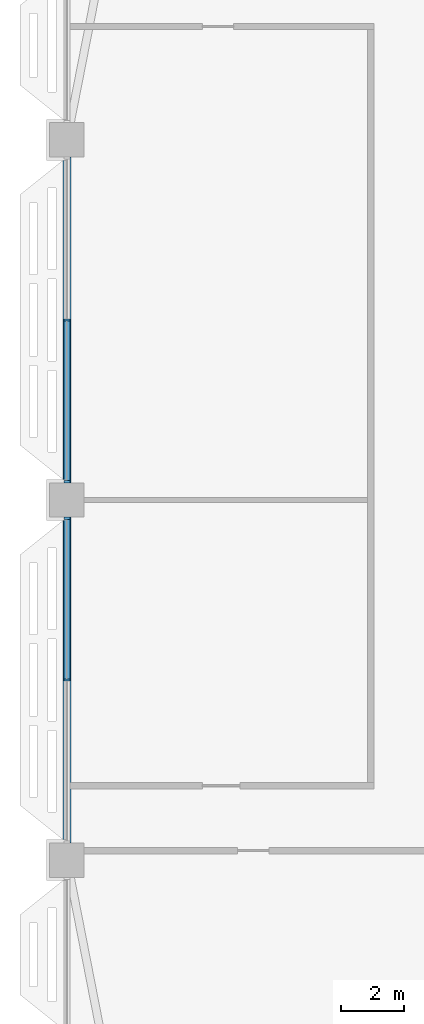
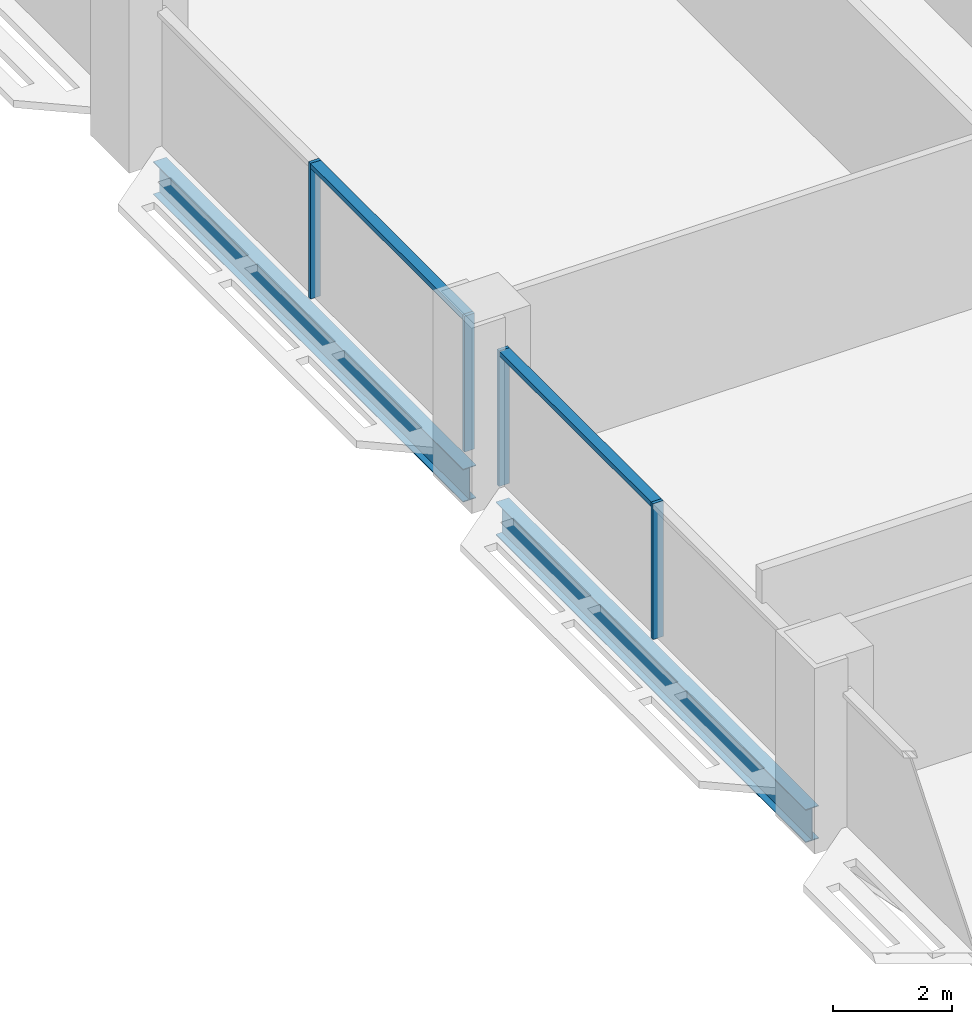
# One storey, part 5 of 30: 6 members, 2 beams, 2 elements without a shape of their own.
"""IFC4 building model written with IfcOpenShell, lengths in metres."""

from ifc_helpers import new_model, si_unit, direction, frame, origin, origin_2d, place, context, subcontext, project, spatial, rectangle, i_section, extrude, material, material_profile, profile_set, type_object, element, aggregate, save


model = new_model("IFC4")

# Units and contexts
model_context = context("Model", 3, precision=1e-05, world=origin(), true_north=direction((0.0, 1.0)))
body_context = subcontext(model_context, "Body", "Model", "MODEL_VIEW")
ifc_project = project(units=[si_unit("LENGTHUNIT", "METRE"), si_unit("AREAUNIT", "SQUARE_METRE"), si_unit("VOLUMEUNIT", "CUBIC_METRE"), si_unit("PLANEANGLEUNIT", "RADIAN"), si_unit("MASSUNIT", "GRAM", prefix="KILO")], contexts=[model_context])

# Site, building, storey
site_placement = place(None, origin())
site = spatial("IfcSite", under=ifc_project, at=site_placement, CompositionType="ELEMENT")
building_placement = place(site_placement, origin())
building = spatial("IfcBuilding", under=site, at=building_placement, Name="Mahtab Terrace Research Tower", CompositionType="ELEMENT")
storey_placement = place(building_placement, frame((0.0, 0.0, 216.699951171875)))
storey = spatial("IfcBuildingStorey", under=building, at=storey_placement, Name="L52", CompositionType="ELEMENT", Elevation=216.699951171875)

# Curtain wall, members
ifc_material_1 = material(Name="Laboratory ribbon curtain wall")
curtain_wall_type = type_object("IfcCurtainWallType", Name="Laboratory ribbon curtain wall", PredefinedType="NOTDEFINED", material=ifc_material_1)
curtain_wall_1_placement = place(storey_placement, origin())
curtain_wall_1 = element("IfcCurtainWall", 1, at=curtain_wall_1_placement, inside=storey, type_object=curtain_wall_type, Name="EN.L52.8.16", PredefinedType="NOTDEFINED")
ifc_material_2 = material(Name="Natural anodised aluminium", Category="aluminium")
ifc_material_profile_1 = material_profile(ifc_material_2, rectangle(XDim=0.199951171875, YDim=0.06494140625, at=origin_2d()), Name="MULLION 65x200")
ifc_profile_set_1 = profile_set([ifc_material_profile_1], Name="Natural anodised aluminium")
member_type_1 = type_object("IfcMemberType", Name="Laboratory ribbon curtain wall mullion", PredefinedType="MULLION", material=ifc_profile_set_1)
member_1_placement = place(storey_placement, frame((-42.0, 5.75, 0.0), z_axis=(0.0, 0.0, 1.0), x_axis=(1.0, 0.0, 0.0)))
member_1 = element("IfcMember", 2, at=member_1_placement, type_object=member_type_1, Name="CWL-6 mullion 2", PredefinedType="MULLION", context=body_context, shape_type="SweptSolid", body=[
    extrude(rectangle(XDim=0.199951171875, YDim=0.06494140625, at=origin_2d()), origin(), (0.0, 0.0, 1.0), 2.78173828125),
])
member_2_placement = place(storey_placement, frame((-42.0, 0.58251953125, 0.0), z_axis=(0.0, 0.0, 1.0), x_axis=(1.0, 0.0, 0.0)))
member_2 = element("IfcMember", 3, at=member_2_placement, type_object=member_type_1, Name="CWL-6 mullion 3", PredefinedType="MULLION", context=body_context, shape_type="SweptSolid", body=[
    extrude(rectangle(XDim=0.199951171875, YDim=0.06494140625, at=origin_2d()), origin(), (0.0, 0.0, 1.0), 2.78173828125),
])

curtain_wall_2_placement = place(storey_placement, origin())
curtain_wall_2 = element("IfcCurtainWall", 4, at=curtain_wall_2_placement, inside=storey, type_object=curtain_wall_type, Name="EN.L52.8.17", PredefinedType="NOTDEFINED")
member_3_placement = place(storey_placement, frame((-42.0, -0.58251953125, 0.0), z_axis=(0.0, 0.0, 1.0), x_axis=(1.0, 0.0, 0.0)))
member_3 = element("IfcMember", 5, at=member_3_placement, type_object=member_type_1, Name="CWL-6 mullion 1", PredefinedType="MULLION", context=body_context, shape_type="SweptSolid", body=[
    extrude(rectangle(XDim=0.199951171875, YDim=0.06494140625, at=origin_2d()), origin(), (0.0, 0.0, 1.0), 2.78173828125),
])
member_4_placement = place(storey_placement, frame((-42.0, -5.75, 0.0), z_axis=(0.0, 0.0, 1.0), x_axis=(1.0, 0.0, 0.0)))
member_4 = element("IfcMember", 6, at=member_4_placement, type_object=member_type_1, Name="CWL-6 mullion 2", PredefinedType="MULLION", context=body_context, shape_type="SweptSolid", body=[
    extrude(rectangle(XDim=0.199951171875, YDim=0.06494140625, at=origin_2d()), origin(), (0.0, 0.0, 1.0), 2.78173828125),
])

# Member
ifc_material_profile_2 = material_profile(ifc_material_2, rectangle(XDim=0.199951171875, YDim=0.10009765625, at=origin_2d()), Name="TRANSOM 100x200")
ifc_profile_set_2 = profile_set([ifc_material_profile_2], Name="Natural anodised aluminium")
member_type_2 = type_object("IfcMemberType", Name="Laboratory ribbon curtain wall transom", PredefinedType="USERDEFINED", material=ifc_profile_set_2)
member_5_placement = place(storey_placement, frame((-42.0, 5.717529296875, 2.73193359375), z_axis=(0.0, -1.0, 0.0), x_axis=(1.0, 0.0, 0.0)))
member_5 = element("IfcMember", 7, at=member_5_placement, type_object=member_type_2, Name="CWL-6 transom 2", ObjectType="TRANSOM", PredefinedType="USERDEFINED", context=body_context, shape_type="SweptSolid", body=[
    extrude(rectangle(XDim=0.199951171875, YDim=0.10009765625, at=origin_2d()), origin(), (0.0, 0.0, 1.0), 5.1025390625),
])

aggregate(curtain_wall_1, [member_1, member_2, member_5])

member_6_placement = place(storey_placement, frame((-42.0, -0.614990234375, 2.73193359375), z_axis=(0.0, -1.0, 0.0), x_axis=(1.0, 0.0, 0.0)))
member_6 = element("IfcMember", 8, at=member_6_placement, type_object=member_type_2, Name="CWL-6 transom 1", ObjectType="TRANSOM", PredefinedType="USERDEFINED", context=body_context, shape_type="SweptSolid", body=[
    extrude(rectangle(XDim=0.199951171875, YDim=0.10009765625, at=origin_2d()), origin(), (0.0, 0.0, 1.0), 5.1025390625),
])

aggregate(curtain_wall_2, [member_3, member_4, member_6])

# Beams
ifc_material_3 = material(Name="Steel ASTM A992 Gr 50", Category="steel")
ifc_material_profile_3 = material_profile(ifc_material_3, i_section(OverallWidth=0.25390625, OverallDepth=0.67822265625, WebThickness=0.01171875, FlangeThickness=0.016357421875, at=origin_2d()), Name="W27X84")
ifc_profile_set_3 = profile_set([ifc_material_profile_3], Name="Steel ASTM A992 Gr 50")
beam_type = type_object("IfcBeamType", Name="W27x84 beam BS2784", PredefinedType="BEAM", material=ifc_profile_set_3)
for number, where, z_axis, x_axis, name in (
    (9, (-42.0, 10.949951171875, -0.678955078125), (0.0, -1.0, 0.0), (1.0, 0.0, 0.0), "Spandrel beam L52 10"),
    (10, (-42.0, -0.550048828125, -0.678955078125), (0.0, -1.0, 0.0), (1.0, 0.0, 0.0), "Spandrel beam L52 11"),
):
    element("IfcBeam", number, at=place(storey_placement, frame(where, z_axis=z_axis, x_axis=x_axis)), inside=storey, type_object=beam_type, Name=name, PredefinedType="BEAM", context=body_context, shape_type="SweptSolid", body=[
        extrude(i_section(OverallWidth=0.25390625, OverallDepth=0.67822265625, WebThickness=0.01171875, FlangeThickness=0.016357421875, at=origin_2d()), origin(), (0.0, 0.0, 1.0), 10.39990234375),
    ])

save(model, "model.ifc")
